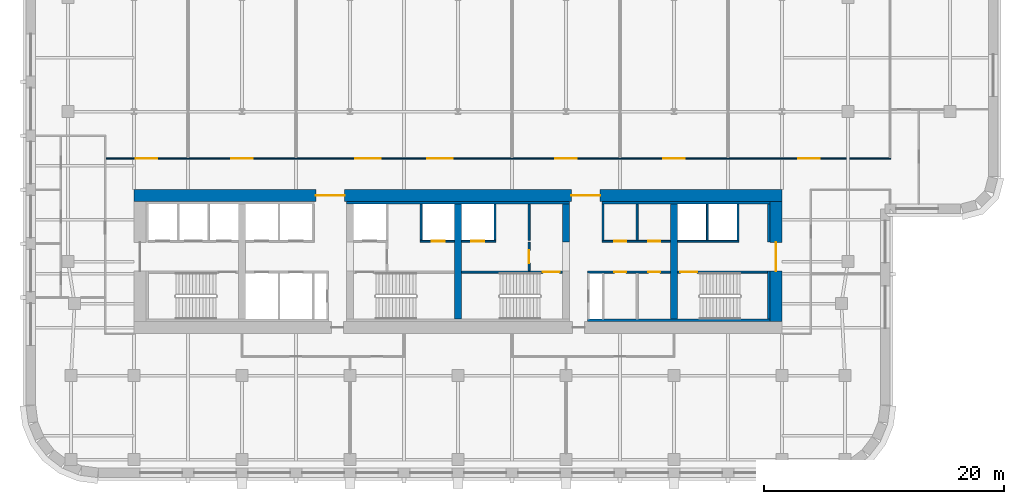
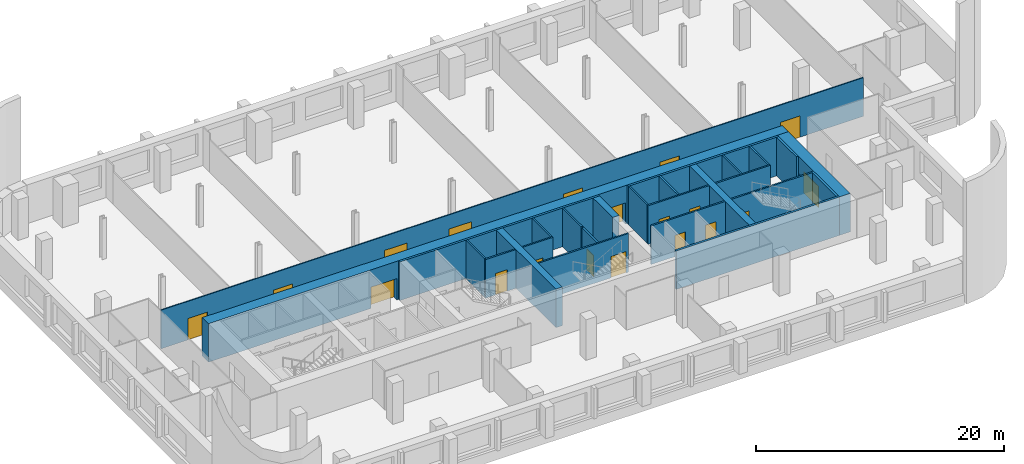
# One storey, part 5 of 9: 26 walls, 19 doors, 19 openings.
"""IFC4 building model written with IfcOpenShell, lengths in metres."""

from ifc_helpers import new_model, si_unit, direction, frame, frame_2d, origin, place, context, subcontext, project, spatial, rectangle, extrude, material, layer, layer_set, type_object, element, fill, save


model = new_model("IFC4")

# Units and contexts
model_context = context("Model", 3, precision=1e-05, world=origin(), true_north=direction((0.0, 1.0)))
body_context = subcontext(model_context, "Body", "Model", "MODEL_VIEW")
ifc_project = project(units=[si_unit("LENGTHUNIT", "METRE"), si_unit("AREAUNIT", "SQUARE_METRE"), si_unit("VOLUMEUNIT", "CUBIC_METRE"), si_unit("PLANEANGLEUNIT", "RADIAN"), si_unit("MASSUNIT", "GRAM", prefix="KILO")], contexts=[model_context])

# Site, building, storey
site_placement = place(None, origin())
site = spatial("IfcSite", under=ifc_project, at=site_placement, CompositionType="ELEMENT")
building_placement = place(site_placement, origin())
building = spatial("IfcBuilding", under=site, at=building_placement, Name="Zellij Exchange Tower", CompositionType="ELEMENT")
storey_placement = place(building_placement, frame((0.0, 0.0, 132.5)))
storey = spatial("IfcBuildingStorey", under=building, at=storey_placement, Name="L29", CompositionType="ELEMENT", Elevation=132.5)

# Walls
ifc_material_1 = material(Name="Concrete C70/85", Category="concrete")
ifc_layer_1 = layer(ifc_material_1, 0.60009765625)
ifc_layer_set_1 = layer_set([ifc_layer_1], Name="Concrete C70/85")
wall_type_1 = type_object("IfcWallType", Name="CORE-CW 600 C70/85", PredefinedType="SHEAR", material=ifc_layer_set_1)
wall_1_placement = place(storey_placement, frame((0.0, -12.800048828125, 0.0), z_axis=(0.0, 0.0, 1.0), x_axis=(0.0, 1.0, 0.0)))
element("IfcWall", 1, at=wall_1_placement, inside=storey, type_object=wall_type_1, Name="Core cross wall x 0 L29", PredefinedType="SHEAR", context=body_context, shape_type="SweptSolid", body=[
    extrude(rectangle(XDim=9.60009765625, YDim=0.60009765625, at=frame_2d((4.800048828125, 0.0))), origin(), (0.0, 0.0, 1.0), 3.800048828125),
])
wall_2_placement = place(storey_placement, frame((9.0, -6.375, 0.0), z_axis=(0.0, 0.0, 1.0), x_axis=(0.0, 1.0, 0.0)))
element("IfcWall", 2, at=wall_2_placement, inside=storey, type_object=wall_type_1, Name="Core cross wall pier x 9 b L29", PredefinedType="SHEAR", context=body_context, shape_type="SweptSolid", body=[
    extrude(rectangle(XDim=3.175048828125, YDim=0.60009765625, at=frame_2d((1.58740234375, 0.0))), origin(), (0.0, 0.0, 1.0), 3.800048828125),
])
wall_3_placement = place(storey_placement, frame((18.0, -12.800048828125, 0.0), z_axis=(0.0, 0.0, 1.0), x_axis=(0.0, 1.0, 0.0)))
element("IfcWall", 3, at=wall_3_placement, inside=storey, type_object=wall_type_1, Name="Core cross wall x 18 L29", PredefinedType="SHEAR", context=body_context, shape_type="SweptSolid", body=[
    extrude(rectangle(XDim=9.60009765625, YDim=0.60009765625, at=frame_2d((4.800048828125, 0.0))), origin(), (0.0, 0.0, 1.0), 3.800048828125),
])
ifc_material_2 = material(Name="Concrete C30/37", Category="concrete")
ifc_layer_2 = layer(ifc_material_2, 0.199951171875)
ifc_layer_set_2 = layer_set([ifc_layer_2], Name="Concrete C30/37")
wall_type_2 = type_object("IfcWallType", Name="CORE-LW 200 C30/37", PredefinedType="SHEAR", material=ifc_layer_set_2)
wall_4_placement = place(storey_placement, frame((-9.300048828125, -3.10009765625, 0.0), z_axis=(0.0, 0.0, 1.0), x_axis=(1.0, 0.0, 0.0)))
element("IfcWall", 4, at=wall_4_placement, inside=storey, type_object=wall_type_2, Name="Core wall lining front.1 L29", PredefinedType="SHEAR", context=body_context, shape_type="SweptSolid", body=[
    extrude(rectangle(XDim=18.60009765625, YDim=0.199951171875, at=frame_2d((9.300048828125, 0.0))), origin(), (0.0, 0.0, 1.0), 3.800048828125),
])
wall_5_placement = place(storey_placement, frame((12.0, -3.10009765625, 0.0), z_axis=(0.0, 0.0, 1.0), x_axis=(1.0, 0.0, 0.0)))
element("IfcWall", 5, at=wall_5_placement, inside=storey, type_object=wall_type_2, Name="Core wall lining front.2 L29", PredefinedType="SHEAR", context=body_context, shape_type="SweptSolid", body=[
    extrude(rectangle(XDim=14.0, YDim=0.199951171875, at=frame_2d((7.0, 0.0))), origin(), (0.0, 0.0, 1.0), 3.800048828125),
])
wall_6_placement = place(storey_placement, frame((10.800048828125, -12.89990234375, 0.0), z_axis=(0.0, 0.0, 1.0), x_axis=(1.0, 0.0, 0.0)))
element("IfcWall", 6, at=wall_6_placement, inside=storey, type_object=wall_type_2, Name="Core wall lining rear.2 L29", PredefinedType="SHEAR", context=body_context, shape_type="SweptSolid", body=[
    extrude(rectangle(XDim=15.199951171875, YDim=0.199951171875, at=frame_2d((7.60009765625, 0.0))), origin(), (0.0, 0.0, 1.0), 3.800048828125),
])
wall_7_placement = place(storey_placement, frame((25.89990234375, -12.800048828125, 0.0), z_axis=(0.0, 0.0, 1.0), x_axis=(0.0, 1.0, 0.0)))
element("IfcWall", 7, at=wall_7_placement, inside=storey, type_object=wall_type_2, Name="Core wall lining end e.0 L29", PredefinedType="SHEAR", context=body_context, shape_type="SweptSolid", body=[
    extrude(rectangle(XDim=4.0, YDim=0.199951171875, at=frame_2d((2.0, 0.0))), origin(), (0.0, 0.0, 1.0), 3.800048828125),
])
wall_8_placement = place(storey_placement, frame((25.89990234375, -6.375, 0.0), z_axis=(0.0, 0.0, 1.0), x_axis=(0.0, 1.0, 0.0)))
element("IfcWall", 8, at=wall_8_placement, inside=storey, type_object=wall_type_2, Name="Core wall lining end e.1 L29", PredefinedType="SHEAR", context=body_context, shape_type="SweptSolid", body=[
    extrude(rectangle(XDim=3.175048828125, YDim=0.199951171875, at=frame_2d((1.58740234375, 0.0))), origin(), (0.0, 0.0, 1.0), 3.800048828125),
])

# Wall, opening, door
ifc_material_3 = material(Name="Gypsum shaft wall system")
ifc_layer_3 = layer(ifc_material_3, 0.14990234375)
ifc_layer_set_3 = layer_set([ifc_layer_3], Name="Gypsum shaft wall system")
wall_type_3 = type_object("IfcWallType", Name="CORE-PW 150 Firefighting lobby wall", PredefinedType="PARTITIONING", material=ifc_layer_set_3)
wall_9_placement = place(storey_placement, frame((5.925048828125, -8.800048828125, 0.0), z_axis=(0.0, 0.0, 1.0), x_axis=(0.0, 1.0, 0.0)))
wall_9 = element("IfcWall", 9, at=wall_9_placement, inside=storey, type_object=wall_type_3, Name="Firefighting lobby wall L29", PredefinedType="PARTITIONING", context=body_context, shape_type="SweptSolid", body=[
    extrude(rectangle(XDim=2.425048828125, YDim=0.14990234375, at=frame_2d((1.21240234375, 0.0))), origin(), (0.0, 0.0, 1.0), 3.800048828125),
])
opening_1_placement = place(wall_9_placement, frame((0.662109375, 0.0, 0.0)))
opening_1 = element("IfcOpeningElement", 10, at=opening_1_placement, cuts=wall_9, Name="Opening CA-15.18", PredefinedType="OPENING", context=body_context, shape_type="SweptSolid", body=[
    extrude(rectangle(XDim=1.10009765625, YDim=2.10009765625, at=frame_2d((0.550048828125, 1.050048828125))), frame((0.0, 0.0869140625, 0.0), z_axis=(0.0, -1.0, 0.0), x_axis=(1.0, 0.0, 0.0)), (0.0, 0.0, 1.0), 0.173828125),
])
ifc_material_4 = material(Name="Hollow metal fire door")
door_type_1 = type_object("IfcDoorType", Name="CORE-D F Firefighting lobby door 1100x2100 1 HR", OperationType="NOTDEFINED", PredefinedType="DOOR", material=ifc_material_4)
door_1_placement = place(opening_1_placement, origin())
door_1 = element("IfcDoor", 11, at=door_1_placement, inside=storey, type_object=door_type_1, Name="Firefighting lobby door CA-15.18", OperationType="SINGLE_SWING_RIGHT", OverallHeight=2.10009765625, OverallWidth=1.10009765625, PredefinedType="DOOR", context=body_context, shape_type="SweptSolid", body=[
    extrude(rectangle(XDim=1.10009765625, YDim=2.10009765625, at=frame_2d((0.550048828125, 1.050048828125))), frame((0.0, 0.02490234375, 0.0), z_axis=(0.0, -1.0, 0.0), x_axis=(1.0, 0.0, 0.0)), (0.0, 0.0, 1.0), 0.050048828125),
])
fill(opening_1, door_1)

# Walls
ifc_material_5 = material(Name="Gypsum board partition")
ifc_layer_4 = layer(ifc_material_5, 0.14990234375)
ifc_layer_set_4 = layer_set([ifc_layer_4], Name="Gypsum board partition")
wall_type_4 = type_object("IfcWallType", Name="CORE-PW 150 Lift lobby wall", PredefinedType="PARTITIONING", material=ifc_layer_set_4)
for number, where, z_axis, x_axis, name in (
    (12, (5.925048828125, -6.22509765625, 0.0), (0.0, 0.0, 1.0), (0.0, 1.0, 0.0), "Lift lobby wall L29"),
    (13, (12.074951171875, -6.22509765625, 0.0), (0.0, 0.0, 1.0), (0.0, 1.0, 0.0), "Lift lobby wall L29"),
    (14, (14.925048828125, -6.22509765625, 0.0), (0.0, 0.0, 1.0), (0.0, 1.0, 0.0), "Lift lobby wall L29"),
):
    element("IfcWall", number, at=place(storey_placement, frame(where, z_axis=z_axis, x_axis=x_axis)), inside=storey, type_object=wall_type_4, Name=name, PredefinedType="PARTITIONING", context=body_context, shape_type="SweptSolid", body=[
        extrude(rectangle(XDim=3.025146484375, YDim=0.14990234375, at=frame_2d((1.5126953125, 0.0))), origin(), (0.0, 0.0, 1.0), 3.800048828125),
    ])

# Wall, openings, doors
wall_10_placement = place(storey_placement, frame((12.0, -6.300048828125, 0.0), z_axis=(0.0, 0.0, 1.0), x_axis=(1.0, 0.0, 0.0)))
wall_10 = element("IfcWall", 15, at=wall_10_placement, inside=storey, type_object=wall_type_4, Name="Lift lobby wall L29", PredefinedType="PARTITIONING", context=body_context, shape_type="SweptSolid", body=[
    extrude(rectangle(XDim=5.699951171875, YDim=0.14990234375, at=frame_2d((2.85009765625, 0.0))), origin(), (0.0, 0.0, 1.0), 3.800048828125),
])
opening_2_placement = place(wall_10_placement, frame((1.0, 0.0, 0.0)))
opening_2 = element("IfcOpeningElement", 16, at=opening_2_placement, cuts=wall_10, Name="Opening CA-15.24", PredefinedType="OPENING", context=body_context, shape_type="SweptSolid", body=[
    extrude(rectangle(XDim=1.0, YDim=2.10009765625, at=frame_2d((0.5, 1.050048828125))), frame((0.0, 0.0869140625, 0.0), z_axis=(0.0, -1.0, 0.0), x_axis=(1.0, 0.0, 0.0)), (0.0, 0.0, 1.0), 0.173828125),
])
opening_3_placement = place(wall_10_placement, frame((3.85009765625, 0.0, 0.0)))
opening_3 = element("IfcOpeningElement", 17, at=opening_3_placement, cuts=wall_10, Name="Opening CA-15.26", PredefinedType="OPENING", context=body_context, shape_type="SweptSolid", body=[
    extrude(rectangle(XDim=1.0, YDim=2.10009765625, at=frame_2d((0.5, 1.050048828125))), frame((0.0, 0.0869140625, 0.0), z_axis=(0.0, -1.0, 0.0), x_axis=(1.0, 0.0, 0.0)), (0.0, 0.0, 1.0), 0.173828125),
])
door_type_2 = type_object("IfcDoorType", Name="CORE-D CD Core room door 1000x2100 1 HR", OperationType="NOTDEFINED", PredefinedType="DOOR", material=ifc_material_4)
door_2_placement = place(opening_2_placement, origin())
door_2 = element("IfcDoor", 18, at=door_2_placement, inside=storey, type_object=door_type_2, Name="Core room door CA-15.24", OperationType="SINGLE_SWING_LEFT", OverallHeight=2.10009765625, OverallWidth=1.0, PredefinedType="DOOR", context=body_context, shape_type="SweptSolid", body=[
    extrude(rectangle(XDim=1.0, YDim=2.10009765625, at=frame_2d((0.5, 1.050048828125))), frame((0.0, 0.02490234375, 0.0), z_axis=(0.0, -1.0, 0.0), x_axis=(1.0, 0.0, 0.0)), (0.0, 0.0, 1.0), 0.050048828125),
])
fill(opening_2, door_2)
door_3_placement = place(opening_3_placement, origin())
door_3 = element("IfcDoor", 19, at=door_3_placement, inside=storey, type_object=door_type_2, Name="Core room door CA-15.26", OperationType="SINGLE_SWING_RIGHT", OverallHeight=2.10009765625, OverallWidth=1.0, PredefinedType="DOOR", context=body_context, shape_type="SweptSolid", body=[
    extrude(rectangle(XDim=1.0, YDim=2.10009765625, at=frame_2d((0.5, 1.050048828125))), frame((0.0, 0.02490234375, 0.0), z_axis=(0.0, -1.0, 0.0), x_axis=(1.0, 0.0, 0.0)), (0.0, 0.0, 1.0), 0.050048828125),
])
fill(opening_3, door_3)

wall_11_placement = place(storey_placement, frame((10.800048828125, -8.875, 0.0), z_axis=(0.0, 0.0, 1.0), x_axis=(1.0, 0.0, 0.0)))
wall_11 = element("IfcWall", 20, at=wall_11_placement, inside=storey, type_object=wall_type_4, Name="Lift lobby wall L29", PredefinedType="PARTITIONING", context=body_context, shape_type="SweptSolid", body=[
    extrude(rectangle(XDim=6.89990234375, YDim=0.14990234375, at=frame_2d((3.449951171875, 0.0))), origin(), (0.0, 0.0, 1.0), 3.800048828125),
])
opening_4_placement = place(wall_11_placement, frame((2.199951171875, 0.0, 0.0)))
opening_4 = element("IfcOpeningElement", 21, at=opening_4_placement, cuts=wall_11, Name="Opening CA-15.23", PredefinedType="OPENING", context=body_context, shape_type="SweptSolid", body=[
    extrude(rectangle(XDim=1.0, YDim=2.10009765625, at=frame_2d((0.5, 1.050048828125))), frame((0.0, 0.0869140625, 0.0), z_axis=(0.0, -1.0, 0.0), x_axis=(1.0, 0.0, 0.0)), (0.0, 0.0, 1.0), 0.173828125),
])
opening_5_placement = place(wall_11_placement, frame((5.050048828125, 0.0, 0.0)))
opening_5 = element("IfcOpeningElement", 22, at=opening_5_placement, cuts=wall_11, Name="Opening CA-15.25", PredefinedType="OPENING", context=body_context, shape_type="SweptSolid", body=[
    extrude(rectangle(XDim=1.0, YDim=2.10009765625, at=frame_2d((0.5, 1.050048828125))), frame((0.0, 0.0869140625, 0.0), z_axis=(0.0, -1.0, 0.0), x_axis=(1.0, 0.0, 0.0)), (0.0, 0.0, 1.0), 0.173828125),
])
door_4_placement = place(opening_4_placement, origin())
door_4 = element("IfcDoor", 23, at=door_4_placement, inside=storey, type_object=door_type_2, Name="Core room door CA-15.23", OperationType="SINGLE_SWING_RIGHT", OverallHeight=2.10009765625, OverallWidth=1.0, PredefinedType="DOOR", context=body_context, shape_type="SweptSolid", body=[
    extrude(rectangle(XDim=1.0, YDim=2.10009765625, at=frame_2d((0.5, 1.050048828125))), frame((0.0, 0.02490234375, 0.0), z_axis=(0.0, -1.0, 0.0), x_axis=(1.0, 0.0, 0.0)), (0.0, 0.0, 1.0), 0.050048828125),
])
fill(opening_4, door_4)
door_5_placement = place(opening_5_placement, origin())
door_5 = element("IfcDoor", 24, at=door_5_placement, inside=storey, type_object=door_type_2, Name="Core room door CA-15.25", OperationType="SINGLE_SWING_LEFT", OverallHeight=2.10009765625, OverallWidth=1.0, PredefinedType="DOOR", context=body_context, shape_type="SweptSolid", body=[
    extrude(rectangle(XDim=1.0, YDim=2.10009765625, at=frame_2d((0.5, 1.050048828125))), frame((0.0, 0.02490234375, 0.0), z_axis=(0.0, -1.0, 0.0), x_axis=(1.0, 0.0, 0.0)), (0.0, 0.0, 1.0), 0.050048828125),
])
fill(opening_5, door_5)

# Walls
ifc_layer_5 = layer(ifc_material_3, 0.14990234375)
ifc_layer_set_5 = layer_set([ifc_layer_5], Name="Gypsum shaft wall system")
wall_type_5 = type_object("IfcWallType", Name="CORE-PW 150 Lift shaft wall", PredefinedType="PARTITIONING", material=ifc_layer_set_5)
for number, where, z_axis, x_axis, name in (
    (25, (-3.074951171875, -6.22509765625, 0.0), (0.0, 0.0, 1.0), (0.0, 1.0, 0.0), "Lift shaft wall L29"),
    (26, (3.074951171875, -6.22509765625, 0.0), (0.0, 0.0, 1.0), (0.0, 1.0, 0.0), "Lift shaft wall L29"),
    (27, (20.77490234375, -6.22509765625, 0.0), (0.0, 0.0, 1.0), (0.0, 1.0, 0.0), "Lift shaft wall L29"),
    (28, (23.324951171875, -6.22509765625, 0.0), (0.0, 0.0, 1.0), (0.0, 1.0, 0.0), "Lift shaft wall L29"),
):
    element("IfcWall", number, at=place(storey_placement, frame(where, z_axis=z_axis, x_axis=x_axis)), inside=storey, type_object=wall_type_5, Name=name, PredefinedType="PARTITIONING", context=body_context, shape_type="SweptSolid", body=[
        extrude(rectangle(XDim=3.025146484375, YDim=0.14990234375, at=frame_2d((1.5126953125, 0.0))), origin(), (0.0, 0.0, 1.0), 3.800048828125),
    ])

# Wall, opening, door
wall_12_placement = place(storey_placement, frame((-3.14990234375, -6.300048828125, 0.0), z_axis=(0.0, 0.0, 1.0), x_axis=(1.0, 0.0, 0.0)))
wall_12 = element("IfcWall", 29, at=wall_12_placement, inside=storey, type_object=wall_type_5, Name="Lift shaft wall L29", PredefinedType="PARTITIONING", context=body_context, shape_type="SweptSolid", body=[
    extrude(rectangle(XDim=2.849853515625, YDim=0.14990234375, at=frame_2d((1.4248046875, 0.0))), origin(), (0.0, 0.0, 1.0), 3.800048828125),
])
opening_6_placement = place(wall_12_placement, frame((0.949951171875, 0.0, 0.0)))
opening_6 = element("IfcOpeningElement", 30, at=opening_6_placement, cuts=wall_12, Name="Opening CA-15.16", PredefinedType="OPENING", context=body_context, shape_type="SweptSolid", body=[
    extrude(rectangle(XDim=1.10009765625, YDim=2.10009765625, at=frame_2d((0.550048828125, 1.050048828125))), frame((0.0, 0.0869140625, 0.0), z_axis=(0.0, -1.0, 0.0), x_axis=(1.0, 0.0, 0.0)), (0.0, 0.0, 1.0), 0.173828125),
])
door_type_3 = type_object("IfcDoorType", Name="CORE-D LD Lift landing door 1100x2100 1.5 HR", OperationType="NOTDEFINED", PredefinedType="DOOR", material=ifc_material_4)
door_6_placement = place(opening_6_placement, origin())
door_6 = element("IfcDoor", 31, at=door_6_placement, inside=storey, type_object=door_type_3, Name="Lift landing door CA-15.16", OperationType="SLIDING_TO_RIGHT", OverallHeight=2.10009765625, OverallWidth=1.10009765625, PredefinedType="DOOR", context=body_context, shape_type="SweptSolid", body=[
    extrude(rectangle(XDim=1.10009765625, YDim=2.10009765625, at=frame_2d((0.550048828125, 1.050048828125))), frame((0.0, 0.02490234375, 0.0), z_axis=(0.0, -1.0, 0.0), x_axis=(1.0, 0.0, 0.0)), (0.0, 0.0, 1.0), 0.050048828125),
])
fill(opening_6, door_6)

wall_13_placement = place(storey_placement, frame((0.300048828125, -6.300048828125, 0.0), z_axis=(0.0, 0.0, 1.0), x_axis=(1.0, 0.0, 0.0)))
wall_13 = element("IfcWall", 32, at=wall_13_placement, inside=storey, type_object=wall_type_5, Name="Lift shaft wall L29", PredefinedType="PARTITIONING", context=body_context, shape_type="SweptSolid", body=[
    extrude(rectangle(XDim=2.849853515625, YDim=0.14990234375, at=frame_2d((1.4248046875, 0.0))), origin(), (0.0, 0.0, 1.0), 3.800048828125),
])
opening_7_placement = place(wall_13_placement, frame((0.800048828125, 0.0, 0.0)))
opening_7 = element("IfcOpeningElement", 33, at=opening_7_placement, cuts=wall_13, Name="Opening CA-15.17", PredefinedType="OPENING", context=body_context, shape_type="SweptSolid", body=[
    extrude(rectangle(XDim=1.10009765625, YDim=2.10009765625, at=frame_2d((0.550048828125, 1.050048828125))), frame((0.0, 0.0869140625, 0.0), z_axis=(0.0, -1.0, 0.0), x_axis=(1.0, 0.0, 0.0)), (0.0, 0.0, 1.0), 0.173828125),
])
door_7_placement = place(opening_7_placement, origin())
door_7 = element("IfcDoor", 34, at=door_7_placement, inside=storey, type_object=door_type_3, Name="Lift landing door CA-15.17", OperationType="SLIDING_TO_LEFT", OverallHeight=2.10009765625, OverallWidth=1.10009765625, PredefinedType="DOOR", context=body_context, shape_type="SweptSolid", body=[
    extrude(rectangle(XDim=1.10009765625, YDim=2.10009765625, at=frame_2d((0.550048828125, 1.050048828125))), frame((0.0, 0.02490234375, 0.0), z_axis=(0.0, -1.0, 0.0), x_axis=(1.0, 0.0, 0.0)), (0.0, 0.0, 1.0), 0.050048828125),
])
fill(opening_7, door_7)

# Wall
wall_14_placement = place(storey_placement, frame((18.300048828125, -6.300048828125, 0.0), z_axis=(0.0, 0.0, 1.0), x_axis=(1.0, 0.0, 0.0)))
element("IfcWall", 35, at=wall_14_placement, inside=storey, type_object=wall_type_5, Name="Lift shaft wall L29", PredefinedType="PARTITIONING", context=body_context, shape_type="SweptSolid", body=[
    extrude(rectangle(XDim=5.099853515625, YDim=0.14990234375, at=frame_2d((2.5498046875, 0.0))), origin(), (0.0, 0.0, 1.0), 3.800048828125),
])

# Wall, openings, doors
ifc_layer_6 = layer(ifc_material_1, 1.0)
ifc_layer_set_6 = layer_set([ifc_layer_6], Name="Concrete C70/85")
wall_type_6 = type_object("IfcWallType", Name="CORE-SW 1000 C70/85", PredefinedType="SHEAR", material=ifc_layer_set_6)
wall_15_placement = place(storey_placement, frame((-27.0, -2.5, 0.0), z_axis=(0.0, 0.0, 1.0), x_axis=(1.0, 0.0, 0.0)))
wall_15 = element("IfcWall", 36, at=wall_15_placement, inside=storey, type_object=wall_type_6, Name="Core shear wall front L29", PredefinedType="SHEAR", context=body_context, shape_type="SweptSolid", body=[
    extrude(rectangle(XDim=54.0, YDim=1.0, at=frame_2d((27.0, 0.0))), origin(), (0.0, 0.0, 1.0), 3.800048828125),
])
opening_8_placement = place(wall_15_placement, frame((15.14990234375, 0.0, 0.0)))
opening_8 = element("IfcOpeningElement", 37, at=opening_8_placement, cuts=wall_15, Name="Opening CA-15.11", PredefinedType="OPENING", context=body_context, shape_type="SweptSolid", body=[
    extrude(rectangle(XDim=2.39990234375, YDim=2.10009765625, at=frame_2d((1.199951171875, 1.050048828125))), frame((0.0, 0.511962890625, 0.0), z_axis=(0.0, -1.0, 0.0), x_axis=(1.0, 0.0, 0.0)), (0.0, 0.0, 1.0), 1.02392578125),
])
opening_9_placement = place(wall_15_placement, frame((36.449951171875, 0.0, 0.0)))
opening_9 = element("IfcOpeningElement", 38, at=opening_9_placement, cuts=wall_15, Name="Opening CA-15.21", PredefinedType="OPENING", context=body_context, shape_type="SweptSolid", body=[
    extrude(rectangle(XDim=2.39990234375, YDim=2.10009765625, at=frame_2d((1.199951171875, 1.050048828125))), frame((0.0, 0.511962890625, 0.0), z_axis=(0.0, -1.0, 0.0), x_axis=(1.0, 0.0, 0.0)), (0.0, 0.0, 1.0), 1.02392578125),
])
door_type_4 = type_object("IfcDoorType", Name="CORE-D CE Core entrance door 2400x2100 20 MIN", OperationType="NOTDEFINED", PredefinedType="DOOR", material=ifc_material_4)
door_8_placement = place(opening_8_placement, origin())
door_8 = element("IfcDoor", 39, at=door_8_placement, inside=storey, type_object=door_type_4, Name="Core entrance door CA-15.11", OperationType="DOUBLE_DOOR_SINGLE_SWING", OverallHeight=2.10009765625, OverallWidth=2.39990234375, PredefinedType="DOOR", context=body_context, shape_type="SweptSolid", body=[
    extrude(rectangle(XDim=2.39990234375, YDim=2.10009765625, at=frame_2d((1.199951171875, 1.050048828125))), frame((0.0, 0.02490234375, 0.0), z_axis=(0.0, -1.0, 0.0), x_axis=(1.0, 0.0, 0.0)), (0.0, 0.0, 1.0), 0.050048828125),
])
fill(opening_8, door_8)
door_9_placement = place(opening_9_placement, origin())
door_9 = element("IfcDoor", 40, at=door_9_placement, inside=storey, type_object=door_type_4, Name="Core entrance door CA-15.21", OperationType="DOUBLE_DOOR_SINGLE_SWING", OverallHeight=2.10009765625, OverallWidth=2.39990234375, PredefinedType="DOOR", context=body_context, shape_type="SweptSolid", body=[
    extrude(rectangle(XDim=2.39990234375, YDim=2.10009765625, at=frame_2d((1.199951171875, 1.050048828125))), frame((0.0, 0.02490234375, 0.0), z_axis=(0.0, -1.0, 0.0), x_axis=(1.0, 0.0, 0.0)), (0.0, 0.0, 1.0), 0.050048828125),
])
fill(opening_9, door_9)

# Wall, opening, door
wall_16_placement = place(storey_placement, frame((26.5, -13.0, 0.0), z_axis=(0.0, 0.0, 1.0), x_axis=(0.0, 1.0, 0.0)))
wall_16 = element("IfcWall", 41, at=wall_16_placement, inside=storey, type_object=wall_type_6, Name="Core shear wall end e L29", PredefinedType="SHEAR", context=body_context, shape_type="SweptSolid", body=[
    extrude(rectangle(XDim=10.0, YDim=1.0, at=frame_2d((5.0, 0.0))), origin(), (0.0, 0.0, 1.0), 3.800048828125),
])
opening_10_placement = place(wall_16_placement, frame((4.2119140625, 0.0, 0.0)))
opening_10 = element("IfcOpeningElement", 42, at=opening_10_placement, cuts=wall_16, Name="Opening CA-15.28", PredefinedType="OPENING", context=body_context, shape_type="SweptSolid", body=[
    extrude(rectangle(XDim=2.39990234375, YDim=2.10009765625, at=frame_2d((1.199951171875, 1.050048828125))), frame((0.0, 0.511962890625, 0.0), z_axis=(0.0, -1.0, 0.0), x_axis=(1.0, 0.0, 0.0)), (0.0, 0.0, 1.0), 1.02392578125),
])
door_10_placement = place(opening_10_placement, origin())
door_10 = element("IfcDoor", 43, at=door_10_placement, inside=storey, type_object=door_type_4, Name="Core entrance door CA-15.28", OperationType="DOUBLE_DOOR_SINGLE_SWING", OverallHeight=2.10009765625, OverallWidth=2.39990234375, PredefinedType="DOOR", context=body_context, shape_type="SweptSolid", body=[
    extrude(rectangle(XDim=2.39990234375, YDim=2.10009765625, at=frame_2d((1.199951171875, 1.050048828125))), frame((0.0, 0.02490234375, 0.0), z_axis=(0.0, -1.0, 0.0), x_axis=(1.0, 0.0, 0.0)), (0.0, 0.0, 1.0), 0.050048828125),
])
fill(opening_10, door_10)

ifc_layer_7 = layer(ifc_material_1, 0.14990234375)
ifc_layer_set_7 = layer_set([ifc_layer_7], Name="Concrete C70/85")
wall_type_7 = type_object("IfcWallType", Name="CORE-SWS 150 C70/85", PredefinedType="SHEAR", material=ifc_layer_set_7)
wall_17_placement = place(storey_placement, frame((0.300048828125, -8.875, 0.0), z_axis=(0.0, 0.0, 1.0), x_axis=(1.0, 0.0, 0.0)))
wall_17 = element("IfcWall", 44, at=wall_17_placement, inside=storey, type_object=wall_type_7, Name="Stair enclosure wall L29", PredefinedType="SHEAR", context=body_context, shape_type="SweptSolid", body=[
    extrude(rectangle(XDim=8.39990234375, YDim=0.14990234375, at=frame_2d((4.199951171875, 0.0))), origin(), (0.0, 0.0, 1.0), 3.800048828125),
])
opening_11_placement = place(wall_17_placement, frame((6.77490234375, 0.0, 0.0)))
opening_11 = element("IfcOpeningElement", 45, at=opening_11_placement, cuts=wall_17, Name="Opening CA-15.19", PredefinedType="OPENING", context=body_context, shape_type="SweptSolid", body=[
    extrude(rectangle(XDim=1.39990234375, YDim=2.10009765625, at=frame_2d((0.699951171875, 1.050048828125))), frame((0.0, 0.0869140625, 0.0), z_axis=(0.0, -1.0, 0.0), x_axis=(1.0, 0.0, 0.0)), (0.0, 0.0, 1.0), 0.173828125),
])
door_type_5 = type_object("IfcDoorType", Name="CORE-D SD Stair door 1400x2100 1.5 HR", OperationType="NOTDEFINED", PredefinedType="DOOR", material=ifc_material_4)
door_11_placement = place(opening_11_placement, origin())
door_11 = element("IfcDoor", 46, at=door_11_placement, inside=storey, type_object=door_type_5, Name="Stair door CA-15.19", OperationType="DOUBLE_DOOR_SINGLE_SWING", OverallHeight=2.10009765625, OverallWidth=1.39990234375, PredefinedType="DOOR", context=body_context, shape_type="SweptSolid", body=[
    extrude(rectangle(XDim=1.39990234375, YDim=2.10009765625, at=frame_2d((0.699951171875, 1.050048828125))), frame((0.0, 0.02490234375, 0.0), z_axis=(0.0, -1.0, 0.0), x_axis=(1.0, 0.0, 0.0)), (0.0, 0.0, 1.0), 0.050048828125),
])
fill(opening_11, door_11)

wall_18_placement = place(storey_placement, frame((18.300048828125, -8.875, 0.0), z_axis=(0.0, 0.0, 1.0), x_axis=(1.0, 0.0, 0.0)))
wall_18 = element("IfcWall", 47, at=wall_18_placement, inside=storey, type_object=wall_type_7, Name="Stair enclosure wall L29", PredefinedType="SHEAR", context=body_context, shape_type="SweptSolid", body=[
    extrude(rectangle(XDim=7.5, YDim=0.14990234375, at=frame_2d((3.75, 0.0))), origin(), (0.0, 0.0, 1.0), 3.800048828125),
])
opening_12_placement = place(wall_18_placement, frame((0.22509765625, 0.0, 0.0)))
opening_12 = element("IfcOpeningElement", 48, at=opening_12_placement, cuts=wall_18, Name="Opening CA-15.27", PredefinedType="OPENING", context=body_context, shape_type="SweptSolid", body=[
    extrude(rectangle(XDim=1.39990234375, YDim=2.10009765625, at=frame_2d((0.699951171875, 1.050048828125))), frame((0.0, 0.0869140625, 0.0), z_axis=(0.0, -1.0, 0.0), x_axis=(1.0, 0.0, 0.0)), (0.0, 0.0, 1.0), 0.173828125),
])
door_12_placement = place(opening_12_placement, origin())
door_12 = element("IfcDoor", 49, at=door_12_placement, inside=storey, type_object=door_type_5, Name="Stair door CA-15.27", OperationType="DOUBLE_DOOR_SINGLE_SWING", OverallHeight=2.10009765625, OverallWidth=1.39990234375, PredefinedType="DOOR", context=body_context, shape_type="SweptSolid", body=[
    extrude(rectangle(XDim=1.39990234375, YDim=2.10009765625, at=frame_2d((0.699951171875, 1.050048828125))), frame((0.0, 0.02490234375, 0.0), z_axis=(0.0, -1.0, 0.0), x_axis=(1.0, 0.0, 0.0)), (0.0, 0.0, 1.0), 0.050048828125),
])
fill(opening_12, door_12)

# Wall, openings, doors
ifc_material_6 = material(Name="Gypsum board partition on steel studs", Category="steel")
ifc_layer_8 = layer(ifc_material_6, 0.10009765625)
ifc_layer_set_8 = layer_set([ifc_layer_8], Name="Gypsum board partition on steel studs")
wall_type_8 = type_object("IfcWallType", Name="FIT-PARTITION-100", PredefinedType="PARTITIONING", material=ifc_layer_set_8)
wall_19_placement = place(storey_placement, frame((-29.35009765625, 0.60009765625, 0.0), z_axis=(0.0, 0.0, 1.0), x_axis=(1.0, 0.0, 0.0)))
wall_19 = element("IfcWall", 50, at=wall_19_placement, inside=storey, type_object=wall_type_8, Name="FIT-PARTITION-100 024", PredefinedType="PARTITIONING", context=body_context, shape_type="SweptSolid", body=[
    extrude(rectangle(XDim=65.400146484375, YDim=0.10009765625, at=frame_2d((32.7001953125, 0.0))), origin(), (0.0, 0.0, 1.0), 3.800048828125),
])
opening_13_placement = place(wall_19_placement, frame((2.5, 0.0, 0.0)))
opening_13 = element("IfcOpeningElement", 51, at=opening_13_placement, cuts=wall_19, Name="Opening TG.09", PredefinedType="OPENING", context=body_context, shape_type="SweptSolid", body=[
    extrude(rectangle(XDim=1.800048828125, YDim=2.10009765625, at=frame_2d((0.89990234375, 1.050048828125))), frame((0.0, 0.06201171875, 0.0), z_axis=(0.0, -1.0, 0.0), x_axis=(1.0, 0.0, 0.0)), (0.0, 0.0, 1.0), 0.1240234375),
])
opening_14_placement = place(wall_19_placement, frame((10.449951171875, 0.0, 0.0)))
opening_14 = element("IfcOpeningElement", 52, at=opening_14_placement, cuts=wall_19, Name="Opening TG.10", PredefinedType="OPENING", context=body_context, shape_type="SweptSolid", body=[
    extrude(rectangle(XDim=1.800048828125, YDim=2.10009765625, at=frame_2d((0.89990234375, 1.050048828125))), frame((0.0, 0.06201171875, 0.0), z_axis=(0.0, -1.0, 0.0), x_axis=(1.0, 0.0, 0.0)), (0.0, 0.0, 1.0), 0.1240234375),
])
opening_15_placement = place(wall_19_placement, frame((20.800048828125, 0.0, 0.0)))
opening_15 = element("IfcOpeningElement", 53, at=opening_15_placement, cuts=wall_19, Name="Opening TG.11", PredefinedType="OPENING", context=body_context, shape_type="SweptSolid", body=[
    extrude(rectangle(XDim=2.10009765625, YDim=2.39990234375, at=frame_2d((1.050048828125, 1.199951171875))), frame((0.0, 0.06201171875, 0.0), z_axis=(0.0, -1.0, 0.0), x_axis=(1.0, 0.0, 0.0)), (0.0, 0.0, 1.0), 0.1240234375),
])
opening_16_placement = place(wall_19_placement, frame((26.800048828125, 0.0, 0.0)))
opening_16 = element("IfcOpeningElement", 54, at=opening_16_placement, cuts=wall_19, Name="Opening TG.12", PredefinedType="OPENING", context=body_context, shape_type="SweptSolid", body=[
    extrude(rectangle(XDim=2.10009765625, YDim=2.39990234375, at=frame_2d((1.050048828125, 1.199951171875))), frame((0.0, 0.06201171875, 0.0), z_axis=(0.0, -1.0, 0.0), x_axis=(1.0, 0.0, 0.0)), (0.0, 0.0, 1.0), 0.1240234375),
])
opening_17_placement = place(wall_19_placement, frame((37.449951171875, 0.0, 0.0)))
opening_17 = element("IfcOpeningElement", 55, at=opening_17_placement, cuts=wall_19, Name="Opening TG.13", PredefinedType="OPENING", context=body_context, shape_type="SweptSolid", body=[
    extrude(rectangle(XDim=1.800048828125, YDim=2.10009765625, at=frame_2d((0.89990234375, 1.050048828125))), frame((0.0, 0.06201171875, 0.0), z_axis=(0.0, -1.0, 0.0), x_axis=(1.0, 0.0, 0.0)), (0.0, 0.0, 1.0), 0.1240234375),
])
opening_18_placement = place(wall_19_placement, frame((46.449951171875, 0.0, 0.0)))
opening_18 = element("IfcOpeningElement", 56, at=opening_18_placement, cuts=wall_19, Name="Opening TG.14", PredefinedType="OPENING", context=body_context, shape_type="SweptSolid", body=[
    extrude(rectangle(XDim=1.800048828125, YDim=2.10009765625, at=frame_2d((0.89990234375, 1.050048828125))), frame((0.0, 0.06201171875, 0.0), z_axis=(0.0, -1.0, 0.0), x_axis=(1.0, 0.0, 0.0)), (0.0, 0.0, 1.0), 0.1240234375),
])
opening_19_placement = place(wall_19_placement, frame((57.699951171875, 0.0, 0.0)))
opening_19 = element("IfcOpeningElement", 57, at=opening_19_placement, cuts=wall_19, Name="Opening TG.15", PredefinedType="OPENING", context=body_context, shape_type="SweptSolid", body=[
    extrude(rectangle(XDim=1.800048828125, YDim=2.10009765625, at=frame_2d((0.89990234375, 1.050048828125))), frame((0.0, 0.06201171875, 0.0), z_axis=(0.0, -1.0, 0.0), x_axis=(1.0, 0.0, 0.0)), (0.0, 0.0, 1.0), 0.1240234375),
])
ifc_material_7 = material(Name="Timber door set", Category="wood")
door_type_6 = type_object("IfcDoorType", Name="FIT-D3-DOUBLE-1800X2100", OperationType="DOUBLE_DOOR_SINGLE_SWING", PredefinedType="DOOR", material=ifc_material_7)
door_13_placement = place(opening_13_placement, origin())
door_13 = element("IfcDoor", 58, at=door_13_placement, inside=storey, type_object=door_type_6, Name="Door TG.09", OperationType="DOUBLE_DOOR_SINGLE_SWING", OverallHeight=2.10009765625, OverallWidth=1.800048828125, PredefinedType="DOOR", context=body_context, shape_type="SweptSolid", body=[
    extrude(rectangle(XDim=1.800048828125, YDim=2.10009765625, at=frame_2d((0.89990234375, 1.050048828125))), frame((0.0, 0.02490234375, 0.0), z_axis=(0.0, -1.0, 0.0), x_axis=(1.0, 0.0, 0.0)), (0.0, 0.0, 1.0), 0.050048828125),
])
fill(opening_13, door_13)
door_14_placement = place(opening_14_placement, origin())
door_14 = element("IfcDoor", 59, at=door_14_placement, inside=storey, type_object=door_type_6, Name="Door TG.10", OperationType="DOUBLE_DOOR_SINGLE_SWING", OverallHeight=2.10009765625, OverallWidth=1.800048828125, PredefinedType="DOOR", context=body_context, shape_type="SweptSolid", body=[
    extrude(rectangle(XDim=1.800048828125, YDim=2.10009765625, at=frame_2d((0.89990234375, 1.050048828125))), frame((0.0, 0.02490234375, 0.0), z_axis=(0.0, -1.0, 0.0), x_axis=(1.0, 0.0, 0.0)), (0.0, 0.0, 1.0), 0.050048828125),
])
fill(opening_14, door_14)
door_15_placement = place(opening_17_placement, origin())
door_15 = element("IfcDoor", 60, at=door_15_placement, inside=storey, type_object=door_type_6, Name="Door TG.13", OperationType="DOUBLE_DOOR_SINGLE_SWING", OverallHeight=2.10009765625, OverallWidth=1.800048828125, PredefinedType="DOOR", context=body_context, shape_type="SweptSolid", body=[
    extrude(rectangle(XDim=1.800048828125, YDim=2.10009765625, at=frame_2d((0.89990234375, 1.050048828125))), frame((0.0, 0.02490234375, 0.0), z_axis=(0.0, -1.0, 0.0), x_axis=(1.0, 0.0, 0.0)), (0.0, 0.0, 1.0), 0.050048828125),
])
fill(opening_17, door_15)
door_16_placement = place(opening_18_placement, origin())
door_16 = element("IfcDoor", 61, at=door_16_placement, inside=storey, type_object=door_type_6, Name="Door TG.14", OperationType="DOUBLE_DOOR_SINGLE_SWING", OverallHeight=2.10009765625, OverallWidth=1.800048828125, PredefinedType="DOOR", context=body_context, shape_type="SweptSolid", body=[
    extrude(rectangle(XDim=1.800048828125, YDim=2.10009765625, at=frame_2d((0.89990234375, 1.050048828125))), frame((0.0, 0.02490234375, 0.0), z_axis=(0.0, -1.0, 0.0), x_axis=(1.0, 0.0, 0.0)), (0.0, 0.0, 1.0), 0.050048828125),
])
fill(opening_18, door_16)
door_17_placement = place(opening_19_placement, origin())
door_17 = element("IfcDoor", 62, at=door_17_placement, inside=storey, type_object=door_type_6, Name="Door TG.15", OperationType="DOUBLE_DOOR_SINGLE_SWING", OverallHeight=2.10009765625, OverallWidth=1.800048828125, PredefinedType="DOOR", context=body_context, shape_type="SweptSolid", body=[
    extrude(rectangle(XDim=1.800048828125, YDim=2.10009765625, at=frame_2d((0.89990234375, 1.050048828125))), frame((0.0, 0.02490234375, 0.0), z_axis=(0.0, -1.0, 0.0), x_axis=(1.0, 0.0, 0.0)), (0.0, 0.0, 1.0), 0.050048828125),
])
fill(opening_19, door_17)
door_type_7 = type_object("IfcDoorType", Name="FIT-D7-ASSEMBLY-2100X2400", OperationType="DOUBLE_DOOR_SINGLE_SWING", PredefinedType="DOOR", material=ifc_material_7)
door_18_placement = place(opening_15_placement, origin())
door_18 = element("IfcDoor", 63, at=door_18_placement, inside=storey, type_object=door_type_7, Name="Door TG.11", OperationType="DOUBLE_DOOR_SINGLE_SWING", OverallHeight=2.39990234375, OverallWidth=2.10009765625, PredefinedType="DOOR", context=body_context, shape_type="SweptSolid", body=[
    extrude(rectangle(XDim=2.10009765625, YDim=2.39990234375, at=frame_2d((1.050048828125, 1.199951171875))), frame((0.0, 0.02490234375, 0.0), z_axis=(0.0, -1.0, 0.0), x_axis=(1.0, 0.0, 0.0)), (0.0, 0.0, 1.0), 0.050048828125),
])
fill(opening_15, door_18)
door_19_placement = place(opening_16_placement, origin())
door_19 = element("IfcDoor", 64, at=door_19_placement, inside=storey, type_object=door_type_7, Name="Door TG.12", OperationType="DOUBLE_DOOR_SINGLE_SWING", OverallHeight=2.39990234375, OverallWidth=2.10009765625, PredefinedType="DOOR", context=body_context, shape_type="SweptSolid", body=[
    extrude(rectangle(XDim=2.10009765625, YDim=2.39990234375, at=frame_2d((1.050048828125, 1.199951171875))), frame((0.0, 0.02490234375, 0.0), z_axis=(0.0, -1.0, 0.0), x_axis=(1.0, 0.0, 0.0)), (0.0, 0.0, 1.0), 0.050048828125),
])
fill(opening_16, door_19)

save(model, "model.ifc")
